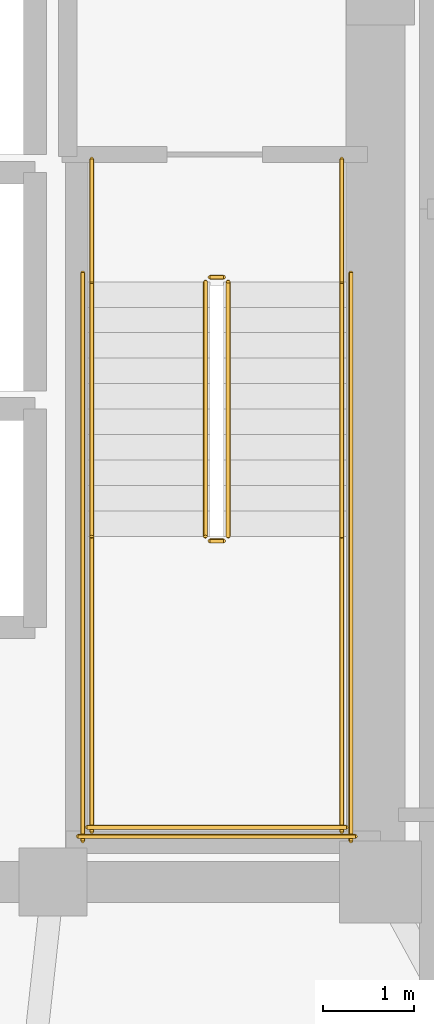
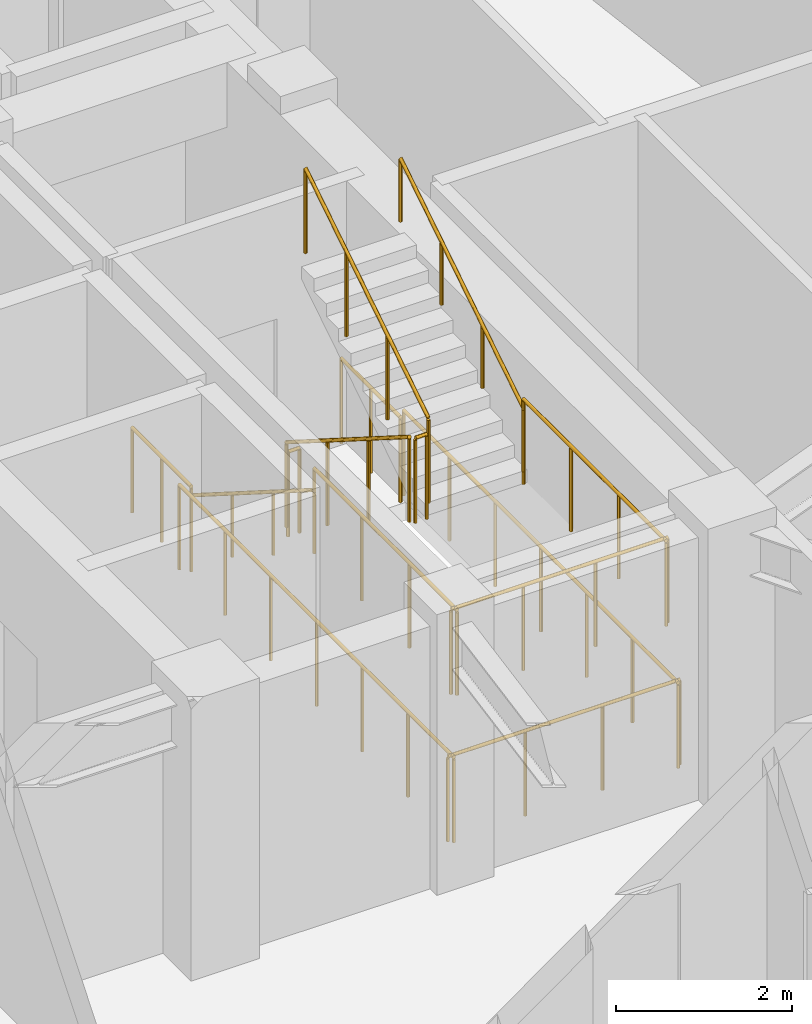
# One storey, part 12 of 12: 14 railings.
"""IFC4 building model written with IfcOpenShell, lengths in metres."""

from ifc_helpers import new_model, si_unit, direction, frame, origin, origin_2d, place, context, subcontext, project, spatial, circle, extrude, material, type_object, element, save


model = new_model("IFC4")

# Units and contexts
model_context = context("Model", 3, precision=1e-05, world=origin(), true_north=direction((0.0, 1.0)))
body_context = subcontext(model_context, "Body", "Model", "MODEL_VIEW")
ifc_project = project(units=[si_unit("LENGTHUNIT", "METRE"), si_unit("AREAUNIT", "SQUARE_METRE"), si_unit("VOLUMEUNIT", "CUBIC_METRE"), si_unit("PLANEANGLEUNIT", "RADIAN"), si_unit("MASSUNIT", "GRAM", prefix="KILO")], contexts=[model_context])

# Site, building, storey
site_placement = place(None, origin())
site = spatial("IfcSite", under=ifc_project, at=site_placement, CompositionType="ELEMENT")
building_placement = place(site_placement, origin())
building = spatial("IfcBuilding", under=site, at=building_placement, Name="Voryun Gate Residences", CompositionType="ELEMENT")
storey_placement = place(building_placement, frame((0.0, 0.0, 152.10009765625)))
storey = spatial("IfcBuildingStorey", under=building, at=storey_placement, Name="L37", CompositionType="ELEMENT", Elevation=152.10009765625)

# Railings
ifc_material_1 = material(Name="Painted steel", Category="steel")
railing_type_1 = type_object("IfcRailingType", Name="RAIL_STAIR_GUARD_1200", PredefinedType="GUARDRAIL", material=ifc_material_1)
railing_1_placement = place(storey_placement, frame((17.27490234375, -0.800048828125, 0.17724609375)))
element("IfcRailing", 1, at=railing_1_placement, inside=storey, type_object=railing_type_1, Name="L37 ST-E1 stair guard 1", PredefinedType="GUARDRAIL", context=body_context, shape_type="SweptSolid", body=[
    extrude(circle(Radius=0.02392578125, at=origin_2d()), frame((0.0, 0.0, 1.17578125), z_axis=(0.0, -0.844908973607, 0.534910110503), x_axis=(1.0, 0.0, 0.0)), (0.0, 0.0, 1.0), 3.31396484375),
    extrude(circle(Radius=0.02099609375, at=origin_2d()), origin(), (0.0, 0.0, 1.0), 1.15185546875),
    extrude(circle(Radius=0.02099609375, at=origin_2d()), frame((0.0, -0.933349609375, 0.5908203125)), (0.0, 0.0, 1.0), 1.15185546875),
    extrude(circle(Radius=0.02099609375, at=origin_2d()), frame((0.0, -1.86669921875, 1.181884765625)), (0.0, 0.0, 1.0), 1.15185546875),
    extrude(circle(Radius=0.02099609375, at=origin_2d()), frame((0.0, -2.800048828125, 1.772705078125)), (0.0, 0.0, 1.0), 1.15185546875),
])
railing_2_placement = place(storey_placement, frame((17.324951171875, -3.64990234375, 1.949951171875)))
element("IfcRailing", 2, at=railing_2_placement, inside=storey, type_object=railing_type_1, Name="L37 ST-E1 stair guard 2", PredefinedType="GUARDRAIL", context=body_context, shape_type="SweptSolid", body=[
    extrude(circle(Radius=0.02392578125, at=origin_2d()), frame((0.0, 0.0, 1.17578125), z_axis=(1.0, 0.0, 0.0), x_axis=(0.0, 1.0, 0.0)), (0.0, 0.0, 1.0), 0.150146484375),
    extrude(circle(Radius=0.02099609375, at=origin_2d()), origin(), (0.0, 0.0, 1.0), 1.15185546875),
    extrude(circle(Radius=0.02099609375, at=origin_2d()), frame((0.150146484375, 0.0, 0.0)), (0.0, 0.0, 1.0), 1.15185546875),
])
for number, where, name in (
    (3, (16.02490234375, -3.60009765625, 1.949951171875), "L37 ST-E1 stair guard 3"),
    (4, (18.77490234375, -3.60009765625, 1.949951171875), "L37 ST-E1 stair guard 4"),
):
    element("IfcRailing", number, at=place(storey_placement, frame(where)), inside=storey, type_object=railing_type_1, Name=name, PredefinedType="GUARDRAIL", context=body_context, shape_type="SweptSolid", body=[
        extrude(circle(Radius=0.02392578125, at=origin_2d()), frame((0.0, 0.0, 1.17578125), z_axis=(0.0, -1.0, 0.0), x_axis=(1.0, 0.0, 0.0)), (0.0, 0.0, 1.0), 3.25),
        extrude(circle(Radius=0.02099609375, at=origin_2d()), origin(), (0.0, 0.0, 1.0), 1.15185546875),
        extrude(circle(Radius=0.02099609375, at=origin_2d()), frame((0.0, -1.083251953125, 0.0)), (0.0, 0.0, 1.0), 1.15185546875),
        extrude(circle(Radius=0.02099609375, at=origin_2d()), frame((0.0, -2.166748046875, 0.0)), (0.0, 0.0, 1.0), 1.15185546875),
        extrude(circle(Radius=0.02099609375, at=origin_2d()), frame((0.0, -3.25, 0.0)), (0.0, 0.0, 1.0), 1.15185546875),
    ])
railing_3_placement = place(storey_placement, frame((15.97509765625, -6.800048828125, 1.949951171875)))
element("IfcRailing", 5, at=railing_3_placement, inside=storey, type_object=railing_type_1, Name="L37 ST-E1 stair guard 5", PredefinedType="GUARDRAIL", context=body_context, shape_type="SweptSolid", body=[
    extrude(circle(Radius=0.02392578125, at=origin_2d()), frame((0.0, 0.0, 1.17578125), z_axis=(1.0, 0.0, 0.0), x_axis=(0.0, 1.0, 0.0)), (0.0, 0.0, 1.0), 2.849853515625),
    extrude(circle(Radius=0.02099609375, at=origin_2d()), origin(), (0.0, 0.0, 1.0), 1.15185546875),
    extrude(circle(Radius=0.02099609375, at=origin_2d()), frame((0.949951171875, 0.0, 0.0)), (0.0, 0.0, 1.0), 1.15185546875),
    extrude(circle(Radius=0.02099609375, at=origin_2d()), frame((1.89990234375, 0.0, 0.0)), (0.0, 0.0, 1.0), 1.15185546875),
    extrude(circle(Radius=0.02099609375, at=origin_2d()), frame((2.849853515625, 0.0, 0.0)), (0.0, 0.0, 1.0), 1.15185546875),
])
railing_4_placement = place(storey_placement, frame((17.52490234375, -3.60009765625, 2.127197265625)))
element("IfcRailing", 6, at=railing_4_placement, inside=storey, type_object=railing_type_1, Name="L37 ST-E1 stair guard 6", PredefinedType="GUARDRAIL", context=body_context, shape_type="SweptSolid", body=[
    extrude(circle(Radius=0.02392578125, at=origin_2d()), frame((0.0, 0.0, 1.17578125), z_axis=(0.0, 0.844908973607, 0.534910110503), x_axis=(-1.0, 0.0, 0.0)), (0.0, 0.0, 1.0), 3.31396484375),
    extrude(circle(Radius=0.02099609375, at=origin_2d()), origin(), (0.0, 0.0, 1.0), 1.15185546875),
    extrude(circle(Radius=0.02099609375, at=origin_2d()), frame((0.0, 0.933349609375, 0.5908203125)), (0.0, 0.0, 1.0), 1.15185546875),
    extrude(circle(Radius=0.02099609375, at=origin_2d()), frame((0.0, 1.86669921875, 1.181884765625)), (0.0, 0.0, 1.0), 1.15185546875),
    extrude(circle(Radius=0.02099609375, at=origin_2d()), frame((0.0, 2.800048828125, 1.772705078125)), (0.0, 0.0, 1.0), 1.15185546875),
])
railing_5_placement = place(storey_placement, frame((17.324951171875, -0.75, 0.0)))
element("IfcRailing", 7, at=railing_5_placement, inside=storey, type_object=railing_type_1, Name="L37 ST-E1 stair guard 7", PredefinedType="GUARDRAIL", context=body_context, shape_type="SweptSolid", body=[
    extrude(circle(Radius=0.02392578125, at=origin_2d()), frame((0.0, 0.0, 1.17578125), z_axis=(1.0, 0.0, 0.0), x_axis=(0.0, 1.0, 0.0)), (0.0, 0.0, 1.0), 0.150146484375),
    extrude(circle(Radius=0.02099609375, at=origin_2d()), origin(), (0.0, 0.0, 1.0), 1.15185546875),
    extrude(circle(Radius=0.02099609375, at=origin_2d()), frame((0.150146484375, 0.0, 0.0)), (0.0, 0.0, 1.0), 1.15185546875),
])
for number, where, name in (
    (8, (16.02490234375, 0.550048828125, 0.0), "L37 ST-E1 stair guard 8"),
    (9, (18.77490234375, 0.550048828125, 0.0), "L37 ST-E1 stair guard 9"),
):
    element("IfcRailing", number, at=place(storey_placement, frame(where)), inside=storey, type_object=railing_type_1, Name=name, PredefinedType="GUARDRAIL", context=body_context, shape_type="SweptSolid", body=[
        extrude(circle(Radius=0.02392578125, at=origin_2d()), frame((0.0, 0.0, 1.17578125), z_axis=(0.0, -1.0, 0.0), x_axis=(1.0, 0.0, 0.0)), (0.0, 0.0, 1.0), 1.35009765625),
        extrude(circle(Radius=0.02099609375, at=origin_2d()), origin(), (0.0, 0.0, 1.0), 1.15185546875),
        extrude(circle(Radius=0.02099609375, at=origin_2d()), frame((0.0, -0.675048828125, 0.0)), (0.0, 0.0, 1.0), 1.15185546875),
        extrude(circle(Radius=0.02099609375, at=origin_2d()), frame((0.0, -1.35009765625, 0.0)), (0.0, 0.0, 1.0), 1.15185546875),
    ])
for number, where, name in (
    (10, (15.925048828125, -0.699951171875, 0.0), "L37 ST-E1 stair guard 10"),
    (11, (18.875, -0.699951171875, 0.0), "L37 ST-E1 stair guard 11"),
):
    element("IfcRailing", number, at=place(storey_placement, frame(where)), inside=storey, type_object=railing_type_1, Name=name, PredefinedType="GUARDRAIL", context=body_context, shape_type="SweptSolid", body=[
        extrude(circle(Radius=0.02392578125, at=origin_2d()), frame((0.0, 0.0, 1.17578125), z_axis=(0.0, -1.0, 0.0), x_axis=(1.0, 0.0, 0.0)), (0.0, 0.0, 1.0), 6.25),
        extrude(circle(Radius=0.02099609375, at=origin_2d()), origin(), (0.0, 0.0, 1.0), 1.15185546875),
        extrude(circle(Radius=0.02099609375, at=origin_2d()), frame((0.0, -1.041748046875, 0.0)), (0.0, 0.0, 1.0), 1.15185546875),
        extrude(circle(Radius=0.02099609375, at=origin_2d()), frame((0.0, -2.083251953125, 0.0)), (0.0, 0.0, 1.0), 1.15185546875),
        extrude(circle(Radius=0.02099609375, at=origin_2d()), frame((0.0, -3.125, 0.0)), (0.0, 0.0, 1.0), 1.15185546875),
        extrude(circle(Radius=0.02099609375, at=origin_2d()), frame((0.0, -4.166748046875, 0.0)), (0.0, 0.0, 1.0), 1.15185546875),
        extrude(circle(Radius=0.02099609375, at=origin_2d()), frame((0.0, -5.208251953125, 0.0)), (0.0, 0.0, 1.0), 1.15185546875),
        extrude(circle(Radius=0.02099609375, at=origin_2d()), frame((0.0, -6.25, 0.0)), (0.0, 0.0, 1.0), 1.15185546875),
    ])
railing_6_placement = place(storey_placement, frame((15.875, -6.89990234375, 0.0)))
element("IfcRailing", 12, at=railing_6_placement, inside=storey, type_object=railing_type_1, Name="L37 ST-E1 stair guard 12", PredefinedType="GUARDRAIL", context=body_context, shape_type="SweptSolid", body=[
    extrude(circle(Radius=0.02392578125, at=origin_2d()), frame((0.0, 0.0, 1.17578125), z_axis=(1.0, 0.0, 0.0), x_axis=(0.0, 1.0, 0.0)), (0.0, 0.0, 1.0), 3.050048828125),
    extrude(circle(Radius=0.02099609375, at=origin_2d()), origin(), (0.0, 0.0, 1.0), 1.15185546875),
    extrude(circle(Radius=0.02099609375, at=origin_2d()), frame((1.0166015625, 0.0, 0.0)), (0.0, 0.0, 1.0), 1.15185546875),
    extrude(circle(Radius=0.02099609375, at=origin_2d()), frame((2.033447265625, 0.0, 0.0)), (0.0, 0.0, 1.0), 1.15185546875),
    extrude(circle(Radius=0.02099609375, at=origin_2d()), frame((3.050048828125, 0.0, 0.0)), (0.0, 0.0, 1.0), 1.15185546875),
])
ifc_material_2 = material(Name="Painted steel", Category="steel")
railing_type_2 = type_object("IfcRailingType", Name="RAIL_STAIR_HANDRAIL_900", PredefinedType="HANDRAIL", material=ifc_material_2)
railing_7_placement = place(storey_placement, frame((16.02490234375, -0.800048828125, 0.17724609375)))
element("IfcRailing", 13, at=railing_7_placement, inside=storey, type_object=railing_type_2, Name="L37 ST-E1 stair handrail 1", PredefinedType="HANDRAIL", context=body_context, shape_type="SweptSolid", body=[
    extrude(circle(Radius=0.02392578125, at=origin_2d()), frame((0.0, 0.0, 0.8759765625), z_axis=(0.0, -0.844908973607, 0.534910110503), x_axis=(1.0, 0.0, 0.0)), (0.0, 0.0, 1.0), 3.31396484375),
    extrude(circle(Radius=0.02099609375, at=origin_2d()), origin(), (0.0, 0.0, 1.0), 0.851806640625),
    extrude(circle(Radius=0.02099609375, at=origin_2d()), frame((0.0, -0.933349609375, 0.5908203125)), (0.0, 0.0, 1.0), 0.851806640625),
    extrude(circle(Radius=0.02099609375, at=origin_2d()), frame((0.0, -1.86669921875, 1.181884765625)), (0.0, 0.0, 1.0), 0.851806640625),
    extrude(circle(Radius=0.02099609375, at=origin_2d()), frame((0.0, -2.800048828125, 1.772705078125)), (0.0, 0.0, 1.0), 0.851806640625),
])
railing_8_placement = place(storey_placement, frame((18.77490234375, -3.60009765625, 2.127197265625)))
element("IfcRailing", 14, at=railing_8_placement, inside=storey, type_object=railing_type_2, Name="L37 ST-E1 stair handrail 2", PredefinedType="HANDRAIL", context=body_context, shape_type="SweptSolid", body=[
    extrude(circle(Radius=0.02392578125, at=origin_2d()), frame((0.0, 0.0, 0.8759765625), z_axis=(0.0, 0.844908973607, 0.534910110503), x_axis=(-1.0, 0.0, 0.0)), (0.0, 0.0, 1.0), 3.31396484375),
    extrude(circle(Radius=0.02099609375, at=origin_2d()), origin(), (0.0, 0.0, 1.0), 0.851806640625),
    extrude(circle(Radius=0.02099609375, at=origin_2d()), frame((0.0, 0.933349609375, 0.5908203125)), (0.0, 0.0, 1.0), 0.851806640625),
    extrude(circle(Radius=0.02099609375, at=origin_2d()), frame((0.0, 1.86669921875, 1.181884765625)), (0.0, 0.0, 1.0), 0.851806640625),
    extrude(circle(Radius=0.02099609375, at=origin_2d()), frame((0.0, 2.800048828125, 1.772705078125)), (0.0, 0.0, 1.0), 0.851806640625),
])

save(model, "model.ifc")
